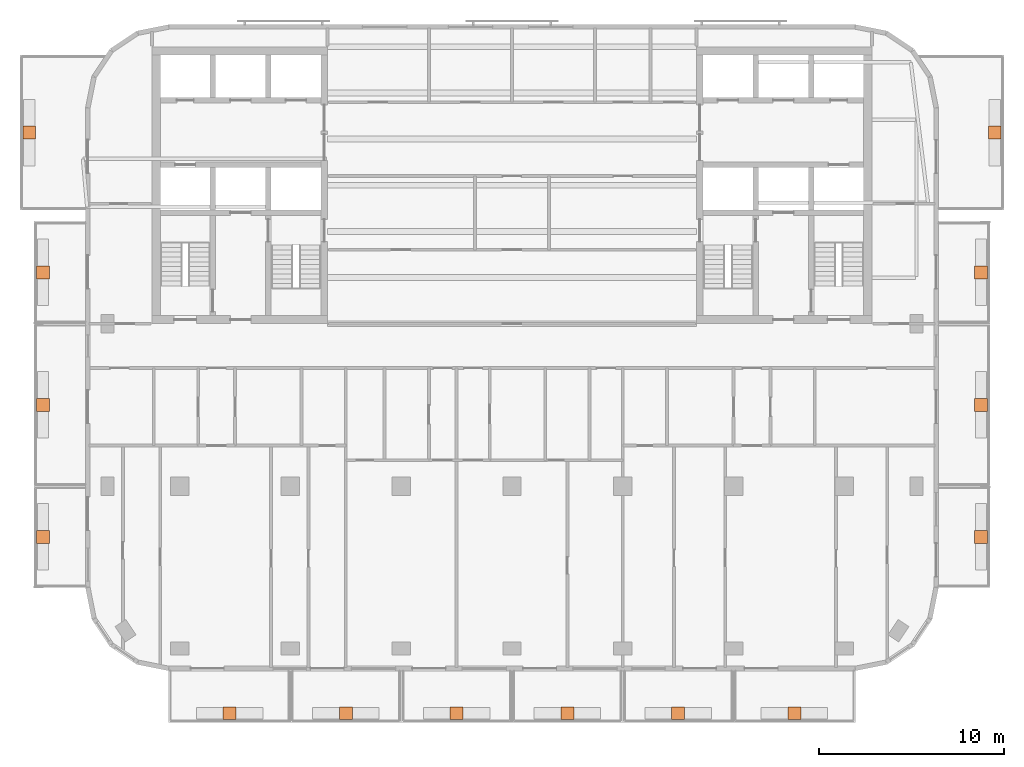
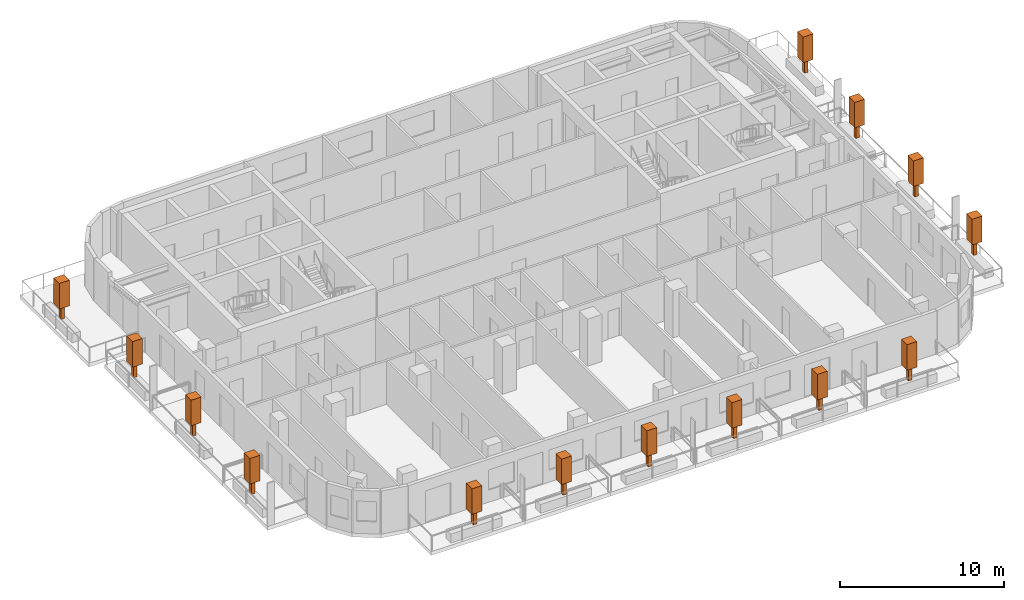
# One storey, part 11 of 11: 14 geographic elements.
"""IFC4 building model written with IfcOpenShell, lengths in metres."""

from ifc_helpers import new_model, si_unit, direction, frame, origin, origin_2d, place, context, subcontext, project, spatial, rectangle, extrude, material, element, save


model = new_model("IFC4")

# Units and contexts
model_context = context("Model", 3, precision=1e-05, world=origin(), true_north=direction((0.0, 1.0)))
body_context = subcontext(model_context, "Body", "Model", "MODEL_VIEW")
ifc_project = project(units=[si_unit("LENGTHUNIT", "METRE"), si_unit("AREAUNIT", "SQUARE_METRE"), si_unit("VOLUMEUNIT", "CUBIC_METRE"), si_unit("PLANEANGLEUNIT", "RADIAN"), si_unit("MASSUNIT", "GRAM", prefix="KILO")], contexts=[model_context])

# Site, building, storey
site_placement = place(None, origin())
site = spatial("IfcSite", under=ifc_project, at=site_placement, CompositionType="ELEMENT")
building_placement = place(site_placement, origin())
building = spatial("IfcBuilding", under=site, at=building_placement, Name="Torana Hotel and Residences", CompositionType="ELEMENT")
storey_placement = place(building_placement, frame((0.0, 0.0, 305.10009765625)))
storey = spatial("IfcBuildingStorey", under=building, at=storey_placement, Name="L81", CompositionType="ELEMENT", Elevation=305.10009765625)

# Geographic elements
ifc_material = material(Name="Foliage", Category="planting")
for number, where, z_axis, x_axis, name in (
    (1, (-15.300048828125, -36.10009765625, 0.64990234375), (0.0, 0.0, 1.0), (1.0, 0.0, 0.0), "Tree 01"),
    (2, (-9.0, -36.10009765625, 0.64990234375), (0.0, 0.0, 1.0), (1.0, 0.0, 0.0), "Tree 02"),
    (3, (-3.0, -36.10009765625, 0.64990234375), (0.0, 0.0, 1.0), (1.0, 0.0, 0.0), "Tree 03"),
    (4, (3.0, -36.10009765625, 0.64990234375), (0.0, 0.0, 1.0), (1.0, 0.0, 0.0), "Tree 04"),
    (5, (9.0, -36.10009765625, 0.64990234375), (0.0, 0.0, 1.0), (1.0, 0.0, 0.0), "Tree 05"),
    (6, (15.300048828125, -36.10009765625, 0.64990234375), (0.0, 0.0, 1.0), (1.0, 0.0, 0.0), "Tree 06"),
    (7, (-25.39990234375, -26.550048828125, 0.64990234375), (0.0, 0.0, 1.0), (1.0, 0.0, 0.0), "Tree 07"),
    (8, (-25.39990234375, -19.39990234375, 0.64990234375), (0.0, 0.0, 1.0), (1.0, 0.0, 0.0), "Tree 08"),
    (9, (-25.39990234375, -12.22509765625, 0.64990234375), (0.0, 0.0, 1.0), (1.0, 0.0, 0.0), "Tree 09"),
    (10, (-26.14990234375, -4.64990234375, 0.64990234375), (0.0, 0.0, 1.0), (1.0, 0.0, 0.0), "Tree 10"),
    (11, (25.39990234375, -26.550048828125, 0.64990234375), (0.0, 0.0, 1.0), (1.0, 0.0, 0.0), "Tree 11"),
    (12, (25.39990234375, -19.39990234375, 0.64990234375), (0.0, 0.0, 1.0), (1.0, 0.0, 0.0), "Tree 12"),
    (13, (25.39990234375, -12.22509765625, 0.64990234375), (0.0, 0.0, 1.0), (1.0, 0.0, 0.0), "Tree 13"),
    (14, (26.14990234375, -4.64990234375, 0.64990234375), (0.0, 0.0, 1.0), (1.0, 0.0, 0.0), "Tree 14"),
):
    element("IfcGeographicElement", number, at=place(storey_placement, frame(where, z_axis=z_axis, x_axis=x_axis)), inside=storey, material=ifc_material, Name=name, ObjectType="TREE", PredefinedType="USERDEFINED", context=body_context, shape_type="SweptSolid", body=[
        extrude(rectangle(XDim=0.25, YDim=0.25, at=origin_2d()), origin(), (0.0, 0.0, 1.0), 1.0),
        extrude(rectangle(XDim=0.699951171875, YDim=0.699951171875, at=origin_2d()), frame((0.0, 0.0, 1.0)), (0.0, 0.0, 1.0), 1.89990234375),
    ])

save(model, "model.ifc")
